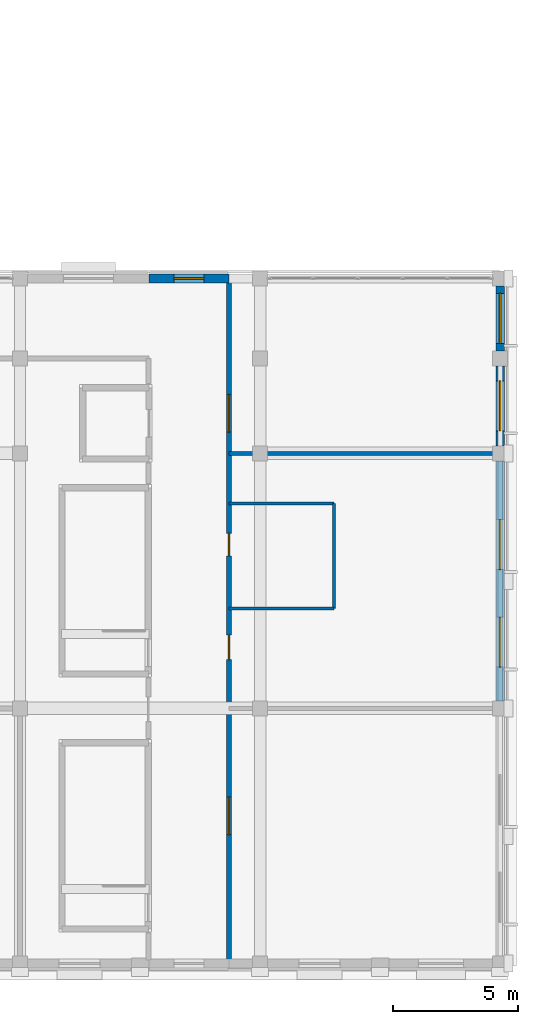
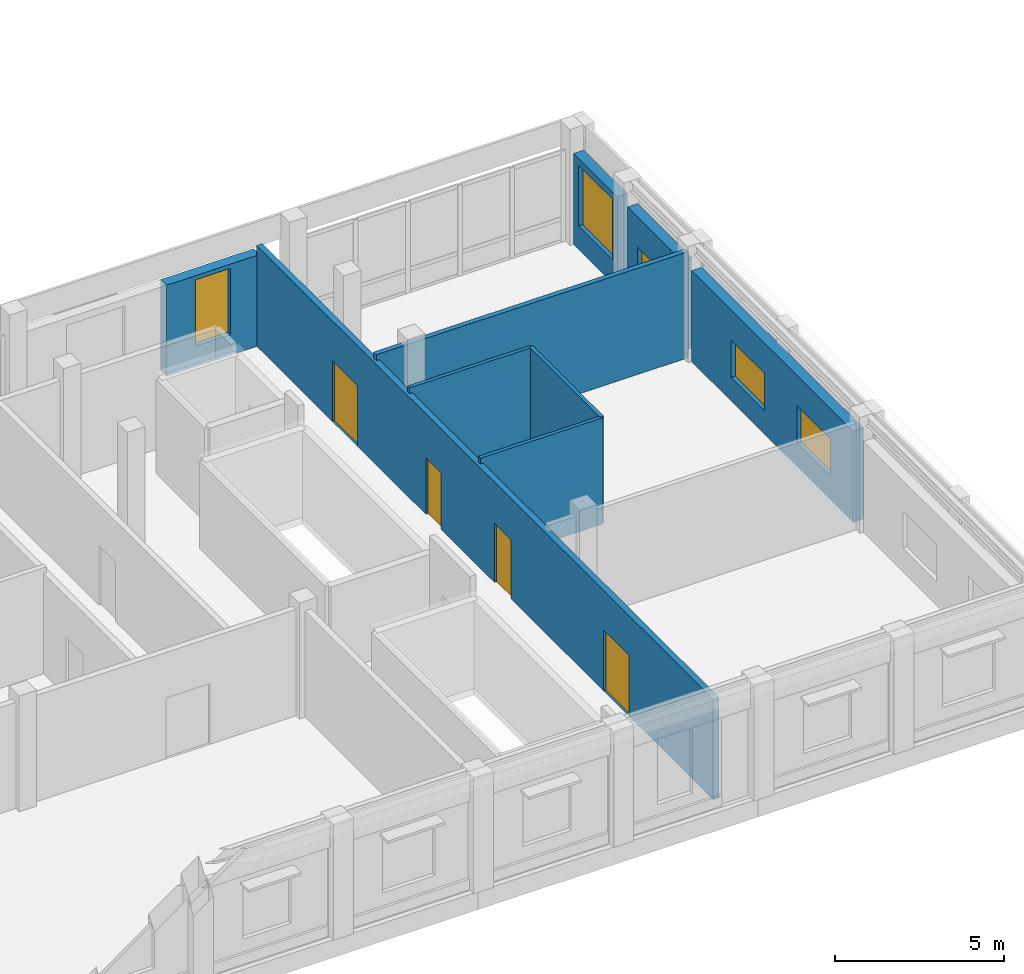
# One storey, part 84 of 93: 9 walls, 5 windows, 4 doors, 9 openings.
"""IFC4 building model written with IfcOpenShell, lengths in metres."""

from ifc_helpers import new_model, si_unit, direction, frame, frame_2d, origin, place, context, subcontext, project, spatial, rectangle, extrude, material, layer, layer_set, type_object, element, fill, save


model = new_model("IFC4")

# Units and contexts
model_context = context("Model", 3, precision=1e-05, world=origin(), true_north=direction((0.0, 1.0)))
body_context = subcontext(model_context, "Body", "Model", "MODEL_VIEW")
ifc_project = project(units=[si_unit("LENGTHUNIT", "METRE"), si_unit("AREAUNIT", "SQUARE_METRE"), si_unit("VOLUMEUNIT", "CUBIC_METRE"), si_unit("PLANEANGLEUNIT", "RADIAN"), si_unit("MASSUNIT", "GRAM", prefix="KILO")], contexts=[model_context])

# Site, building, storey
site_placement = place(None, origin())
site = spatial("IfcSite", under=ifc_project, at=site_placement, CompositionType="ELEMENT")
building_placement = place(site_placement, origin())
building = spatial("IfcBuilding", under=site, at=building_placement, Name="Vondelvale Polytechnic", CompositionType="ELEMENT")
storey_placement = place(building_placement, frame((0.0, 0.0, 18.0)))
storey = spatial("IfcBuildingStorey", under=building, at=storey_placement, Name="L04", CompositionType="ELEMENT", Elevation=18.0)

# Wall, openings, windows
ifc_material_1 = material(Name="Amsterdam School iron-spot clinker clay brickwork", Category="masonry")
ifc_layer_1 = layer(ifc_material_1, 0.35009765625)
ifc_layer_set_1 = layer_set([ifc_layer_1], Name="WL-BRICK-350")
wall_type_1 = type_object("IfcWallType", Name="WL-BRICK-350", PredefinedType="SOLIDWALL", material=ifc_layer_set_1)
wall_1_placement = place(storey_placement, frame((172.800048828125, 20.09912109375, 0.0), z_axis=(0.0, 0.0, 1.0), x_axis=(0.0, -1.0, 0.0)))
wall_1 = element("IfcWall", 1, at=wall_1_placement, inside=storey, type_object=wall_type_1, Name="L04 exterior masonry facade wall", PredefinedType="SOLIDWALL", context=body_context, shape_type="SweptSolid", body=[
    extrude(rectangle(XDim=9.59814453125, YDim=0.35009765625, at=frame_2d((4.799072265625, 0.0))), origin(), (0.0, 0.0, 1.0), 3.300048828125),
])
opening_1_placement = place(wall_1_placement, frame((6.248046875, 0.0, 0.85009765625)))
opening_1 = element("IfcOpeningElement", 2, at=opening_1_placement, cuts=wall_1, Name="Opening WN-0432", PredefinedType="OPENING", context=body_context, shape_type="SweptSolid", body=[
    extrude(rectangle(XDim=2.0, YDim=1.35009765625, at=frame_2d((1.0, 0.675048828125))), frame((0.0, 0.18505859375, 0.0), z_axis=(0.0, -1.0, 0.0), x_axis=(1.0, 0.0, 0.0)), (0.0, 0.0, 1.0), 0.3701171875),
])
opening_2_placement = place(wall_1_placement, frame((2.347900390625, 0.0, 0.85009765625)))
opening_2 = element("IfcOpeningElement", 3, at=opening_2_placement, cuts=wall_1, Name="Opening WN-0433", PredefinedType="OPENING", context=body_context, shape_type="SweptSolid", body=[
    extrude(rectangle(XDim=2.0, YDim=1.35009765625, at=frame_2d((1.0, 0.675048828125))), frame((0.0, 0.18505859375, 0.0), z_axis=(0.0, -1.0, 0.0), x_axis=(1.0, 0.0, 0.0)), (0.0, 0.0, 1.0), 0.3701171875),
])
ifc_material_2 = material(Name="Double-glazed low-E insulated architectural glass", Category="glass")
window_type_1 = type_object("IfcWindowType", Name="WN-RIB-2000x1350", PartitioningType="SINGLE_PANEL", PredefinedType="WINDOW", material=ifc_material_2)
window_1_placement = place(opening_1_placement, origin())
window_1 = element("IfcWindow", 4, at=window_1_placement, inside=storey, type_object=window_type_1, Name="L04 double-glazed architectural window WN-0432", OverallHeight=1.35009765625, OverallWidth=2.0, PartitioningType="SINGLE_PANEL", PredefinedType="WINDOW", context=body_context, shape_type="SweptSolid", body=[
    extrude(rectangle(XDim=2.0, YDim=1.35009765625, at=frame_2d((1.0, 0.675048828125))), frame((0.0, 0.030029296875, 0.0), z_axis=(0.0, -1.0, 0.0), x_axis=(1.0, 0.0, 0.0)), (0.0, 0.0, 1.0), 0.06005859375),
])
fill(opening_1, window_1)
window_2_placement = place(opening_2_placement, origin())
window_2 = element("IfcWindow", 5, at=window_2_placement, inside=storey, type_object=window_type_1, Name="L04 double-glazed architectural window WN-0433", OverallHeight=1.35009765625, OverallWidth=2.0, PartitioningType="SINGLE_PANEL", PredefinedType="WINDOW", context=body_context, shape_type="SweptSolid", body=[
    extrude(rectangle(XDim=2.0, YDim=1.35009765625, at=frame_2d((1.0, 0.675048828125))), frame((0.0, 0.030029296875, 0.0), z_axis=(0.0, -1.0, 0.0), x_axis=(1.0, 0.0, 0.0)), (0.0, 0.0, 1.0), 0.06005859375),
])
fill(opening_2, window_2)

# Wall, opening, window
wall_2_placement = place(storey_placement, frame((172.800048828125, 27.09912109375, 0.0), z_axis=(0.0, 0.0, 1.0), x_axis=(0.0, -1.0, 0.0)))
wall_2 = element("IfcWall", 6, at=wall_2_placement, inside=storey, type_object=wall_type_1, Name="L04 exterior masonry facade wall", PredefinedType="SOLIDWALL", context=body_context, shape_type="SweptSolid", body=[
    extrude(rectangle(XDim=2.59814453125, YDim=0.35009765625, at=frame_2d((1.299072265625, 0.0))), origin(), (0.0, 0.0, 1.0), 3.300048828125),
])
opening_3_placement = place(wall_2_placement, frame((0.299072265625, 0.0, 0.85009765625)))
opening_3 = element("IfcOpeningElement", 7, at=opening_3_placement, cuts=wall_2, Name="Opening WN-0434", PredefinedType="OPENING", context=body_context, shape_type="SweptSolid", body=[
    extrude(rectangle(XDim=2.0, YDim=2.199951171875, at=frame_2d((1.0, 1.10009765625))), frame((0.0, 0.18505859375, 0.0), z_axis=(0.0, -1.0, 0.0), x_axis=(1.0, 0.0, 0.0)), (0.0, 0.0, 1.0), 0.3701171875),
])
window_type_2 = type_object("IfcWindowType", Name="WN-STUDIO-2000x2200", PartitioningType="SINGLE_PANEL", PredefinedType="WINDOW", material=ifc_material_2)
window_3_placement = place(opening_3_placement, origin())
window_3 = element("IfcWindow", 8, at=window_3_placement, inside=storey, type_object=window_type_2, Name="L04 double-glazed architectural window WN-0434", OverallHeight=2.199951171875, OverallWidth=2.0, PartitioningType="SINGLE_PANEL", PredefinedType="WINDOW", context=body_context, shape_type="SweptSolid", body=[
    extrude(rectangle(XDim=2.0, YDim=2.199951171875, at=frame_2d((1.0, 1.10009765625))), frame((0.0, 0.030029296875, 0.0), z_axis=(0.0, -1.0, 0.0), x_axis=(1.0, 0.0, 0.0)), (0.0, 0.0, 1.0), 0.06005859375),
])
fill(opening_3, window_3)

wall_3_placement = place(storey_placement, frame((172.800048828125, 23.89892578125, 0.0), z_axis=(0.0, 0.0, 1.0), x_axis=(0.0, -1.0, 0.0)))
wall_3 = element("IfcWall", 9, at=wall_3_placement, inside=storey, type_object=wall_type_1, Name="L04 exterior masonry facade wall", PredefinedType="SOLIDWALL", context=body_context, shape_type="SweptSolid", body=[
    extrude(rectangle(XDim=3.197998046875, YDim=0.35009765625, at=frame_2d((1.59912109375, 0.0))), origin(), (0.0, 0.0, 1.0), 3.300048828125),
])
opening_4_placement = place(wall_3_placement, frame((0.59912109375, 0.0, 0.85009765625)))
opening_4 = element("IfcOpeningElement", 10, at=opening_4_placement, cuts=wall_3, Name="Opening WN-0435", PredefinedType="OPENING", context=body_context, shape_type="SweptSolid", body=[
    extrude(rectangle(XDim=2.0, YDim=1.35009765625, at=frame_2d((1.0, 0.675048828125))), frame((0.0, 0.18505859375, 0.0), z_axis=(0.0, -1.0, 0.0), x_axis=(1.0, 0.0, 0.0)), (0.0, 0.0, 1.0), 0.3701171875),
])
window_4_placement = place(opening_4_placement, origin())
window_4 = element("IfcWindow", 11, at=window_4_placement, inside=storey, type_object=window_type_1, Name="L04 double-glazed architectural window WN-0435", OverallHeight=1.35009765625, OverallWidth=2.0, PartitioningType="SINGLE_PANEL", PredefinedType="WINDOW", context=body_context, shape_type="SweptSolid", body=[
    extrude(rectangle(XDim=2.0, YDim=1.35009765625, at=frame_2d((1.0, 0.675048828125))), frame((0.0, 0.030029296875, 0.0), z_axis=(0.0, -1.0, 0.0), x_axis=(1.0, 0.0, 0.0)), (0.0, 0.0, 1.0), 0.06005859375),
])
fill(opening_4, window_4)

wall_4_placement = place(storey_placement, frame((158.75, 27.39990234375, 0.0), z_axis=(0.0, 0.0, 1.0), x_axis=(1.0, 0.0, 0.0)))
wall_4 = element("IfcWall", 12, at=wall_4_placement, inside=storey, type_object=wall_type_1, Name="L04 exterior masonry facade wall", PredefinedType="SOLIDWALL", context=body_context, shape_type="SweptSolid", body=[
    extrude(rectangle(XDim=3.199951171875, YDim=0.35009765625, at=frame_2d((1.60009765625, 0.0))), origin(), (0.0, 0.0, 1.0), 3.300048828125),
])
opening_5_placement = place(wall_4_placement, frame((1.0, 0.0, 0.75)))
opening_5 = element("IfcOpeningElement", 13, at=opening_5_placement, cuts=wall_4, Name="Opening WN-0437", PredefinedType="OPENING", context=body_context, shape_type="SweptSolid", body=[
    extrude(rectangle(XDim=1.199951171875, YDim=2.39990234375, at=frame_2d((0.60009765625, 1.199951171875))), frame((0.0, 0.18505859375, 0.0), z_axis=(0.0, -1.0, 0.0), x_axis=(1.0, 0.0, 0.0)), (0.0, 0.0, 1.0), 0.3701171875),
])
window_type_3 = type_object("IfcWindowType", Name="WN-ARCH-1200x2400", PartitioningType="SINGLE_PANEL", PredefinedType="WINDOW", material=ifc_material_2)
window_5_placement = place(opening_5_placement, origin())
window_5 = element("IfcWindow", 14, at=window_5_placement, inside=storey, type_object=window_type_3, Name="L04 double-glazed architectural window WN-0437", OverallHeight=2.39990234375, OverallWidth=1.199951171875, PartitioningType="SINGLE_PANEL", PredefinedType="WINDOW", context=body_context, shape_type="SweptSolid", body=[
    extrude(rectangle(XDim=1.199951171875, YDim=2.39990234375, at=frame_2d((0.60009765625, 1.199951171875))), frame((0.0, 0.030029296875, 0.0), z_axis=(0.0, -1.0, 0.0), x_axis=(1.0, 0.0, 0.0)), (0.0, 0.0, 1.0), 0.06005859375),
])
fill(opening_5, window_5)

# Wall, openings, doors
ifc_material_3 = material(Name="Fire-rated double-layer plasterboard stud partition")
ifc_layer_2 = layer(ifc_material_3, 0.199951171875)
ifc_layer_set_2 = layer_set([ifc_layer_2], Name="WL-CORR-200")
wall_type_2 = type_object("IfcWallType", Name="WL-CORR-200", PredefinedType="PARTITIONING", material=ifc_layer_set_2)
wall_5_placement = place(storey_placement, frame((161.949951171875, 0.14990234375, 0.0), z_axis=(0.0, 0.0, 1.0), x_axis=(0.0, 1.0, 0.0)))
wall_5 = element("IfcWall", 15, at=wall_5_placement, inside=storey, type_object=wall_type_2, Name="L04 interior acoustic partition", PredefinedType="PARTITIONING", context=body_context, shape_type="SweptSolid", body=[
    extrude(rectangle(XDim=27.10009765625, YDim=0.199951171875, at=frame_2d((13.550048828125, 0.0))), origin(), (0.0, 0.0, 1.0), 3.64111328125),
])
opening_6_placement = place(wall_5_placement, frame((5.0, 0.0, 0.0)))
opening_6 = element("IfcOpeningElement", 16, at=opening_6_placement, cuts=wall_5, Name="Opening ID-0268", PredefinedType="OPENING", context=body_context, shape_type="SweptSolid", body=[
    extrude(rectangle(XDim=1.5, YDim=2.199951171875, at=frame_2d((0.75, 1.10009765625))), frame((0.0, 0.10986328125, 0.0), z_axis=(0.0, -1.0, 0.0), x_axis=(1.0, 0.0, 0.0)), (0.0, 0.0, 1.0), 0.219970703125),
])
opening_7_placement = place(wall_5_placement, frame((12.0, 0.0, 0.0)))
opening_7 = element("IfcOpeningElement", 17, at=opening_7_placement, cuts=wall_5, Name="Opening ID-0269", PredefinedType="OPENING", context=body_context, shape_type="SweptSolid", body=[
    extrude(rectangle(XDim=0.97998046875, YDim=2.14990234375, at=frame_2d((0.489990234375, 1.074951171875))), frame((0.0, 0.10986328125, 0.0), z_axis=(0.0, -1.0, 0.0), x_axis=(1.0, 0.0, 0.0)), (0.0, 0.0, 1.0), 0.219970703125),
])
opening_8_placement = place(wall_5_placement, frame((16.14990234375, 0.0, 0.0)))
opening_8 = element("IfcOpeningElement", 18, at=opening_8_placement, cuts=wall_5, Name="Opening ID-0270", PredefinedType="OPENING", context=body_context, shape_type="SweptSolid", body=[
    extrude(rectangle(XDim=0.89990234375, YDim=2.050048828125, at=frame_2d((0.449951171875, 1.02490234375))), frame((0.0, 0.10986328125, 0.0), z_axis=(0.0, -1.0, 0.0), x_axis=(1.0, 0.0, 0.0)), (0.0, 0.0, 1.0), 0.219970703125),
])
opening_9_placement = place(wall_5_placement, frame((21.10009765625, 0.0, 0.0)))
opening_9 = element("IfcOpeningElement", 19, at=opening_9_placement, cuts=wall_5, Name="Opening ID-0271", PredefinedType="OPENING", context=body_context, shape_type="SweptSolid", body=[
    extrude(rectangle(XDim=1.5, YDim=2.199951171875, at=frame_2d((0.75, 1.10009765625))), frame((0.0, 0.10986328125, 0.0), z_axis=(0.0, -1.0, 0.0), x_axis=(1.0, 0.0, 0.0)), (0.0, 0.0, 1.0), 0.219970703125),
])
ifc_material_4 = material(Name="Fire-rated solid Tasmanian oak joinery")
door_type_1 = type_object("IfcDoorType", Name="DR-INT-0980x2150", OperationType="SINGLE_SWING_RIGHT", PredefinedType="DOOR", material=ifc_material_4)
door_1_placement = place(opening_7_placement, origin())
door_1 = element("IfcDoor", 20, at=door_1_placement, inside=storey, type_object=door_type_1, Name="L04 interior room door ID-0269", OperationType="SINGLE_SWING_LEFT", OverallHeight=2.14990234375, OverallWidth=0.97998046875, PredefinedType="DOOR", context=body_context, shape_type="SweptSolid", body=[
    extrude(rectangle(XDim=0.97998046875, YDim=2.14990234375, at=frame_2d((0.489990234375, 1.074951171875))), frame((0.0, 0.02490234375, 0.0), z_axis=(0.0, -1.0, 0.0), x_axis=(1.0, 0.0, 0.0)), (0.0, 0.0, 1.0), 0.050048828125),
])
fill(opening_7, door_1)
door_type_2 = type_object("IfcDoorType", Name="DR-LAB-1500x2200", OperationType="DOUBLE_DOOR_SINGLE_SWING", PredefinedType="DOOR", material=ifc_material_4)
door_2_placement = place(opening_6_placement, origin())
door_2 = element("IfcDoor", 21, at=door_2_placement, inside=storey, type_object=door_type_2, Name="L04 interior room door ID-0268", OperationType="DOUBLE_DOOR_SINGLE_SWING", OverallHeight=2.199951171875, OverallWidth=1.5, PredefinedType="DOOR", context=body_context, shape_type="SweptSolid", body=[
    extrude(rectangle(XDim=1.5, YDim=2.199951171875, at=frame_2d((0.75, 1.10009765625))), frame((0.0, 0.02490234375, 0.0), z_axis=(0.0, -1.0, 0.0), x_axis=(1.0, 0.0, 0.0)), (0.0, 0.0, 1.0), 0.050048828125),
])
fill(opening_6, door_2)
door_3_placement = place(opening_9_placement, origin())
door_3 = element("IfcDoor", 22, at=door_3_placement, inside=storey, type_object=door_type_2, Name="L04 interior room door ID-0271", OperationType="DOUBLE_DOOR_SINGLE_SWING", OverallHeight=2.199951171875, OverallWidth=1.5, PredefinedType="DOOR", context=body_context, shape_type="SweptSolid", body=[
    extrude(rectangle(XDim=1.5, YDim=2.199951171875, at=frame_2d((0.75, 1.10009765625))), frame((0.0, 0.02490234375, 0.0), z_axis=(0.0, -1.0, 0.0), x_axis=(1.0, 0.0, 0.0)), (0.0, 0.0, 1.0), 0.050048828125),
])
fill(opening_9, door_3)
door_type_3 = type_object("IfcDoorType", Name="DR-WC-0900x2050", OperationType="SINGLE_SWING_RIGHT", PredefinedType="DOOR", material=ifc_material_4)
door_4_placement = place(opening_8_placement, origin())
door_4 = element("IfcDoor", 23, at=door_4_placement, inside=storey, type_object=door_type_3, Name="L04 interior room door ID-0270", OperationType="SINGLE_SWING_RIGHT", OverallHeight=2.050048828125, OverallWidth=0.89990234375, PredefinedType="DOOR", context=body_context, shape_type="SweptSolid", body=[
    extrude(rectangle(XDim=0.89990234375, YDim=2.050048828125, at=frame_2d((0.449951171875, 1.02490234375))), frame((0.0, 0.02490234375, 0.0), z_axis=(0.0, -1.0, 0.0), x_axis=(1.0, 0.0, 0.0)), (0.0, 0.0, 1.0), 0.050048828125),
])
fill(opening_8, door_4)

# Walls
ifc_layer_3 = layer(ifc_material_3, 0.1201171875)
ifc_layer_set_3 = layer_set([ifc_layer_3], Name="WL-INT-120")
wall_type_3 = type_object("IfcWallType", Name="WL-INT-120", PredefinedType="PARTITIONING", material=ifc_layer_set_3)
for number, where, z_axis, x_axis, name in (
    (24, (161.949951171875, 14.199951171875, 0.0), (0.0, 0.0, 1.0), (1.0, 0.0, 0.0), "L04 interior acoustic partition"),
    (25, (166.14990234375, 14.199951171875, 0.0), (0.0, 0.0, 1.0), (0.0, 1.0, 0.0), "L04 interior acoustic partition"),
    (26, (161.949951171875, 18.39990234375, 0.0), (0.0, 0.0, 1.0), (1.0, 0.0, 0.0), "L04 interior acoustic partition"),
):
    element("IfcWall", number, at=place(storey_placement, frame(where, z_axis=z_axis, x_axis=x_axis)), inside=storey, type_object=wall_type_3, Name=name, PredefinedType="PARTITIONING", context=body_context, shape_type="SweptSolid", body=[
        extrude(rectangle(XDim=4.199951171875, YDim=0.1201171875, at=frame_2d((2.10009765625, 0.0))), origin(), (0.0, 0.0, 1.0), 3.85009765625),
    ])
ifc_layer_4 = layer(ifc_material_3, 0.1650390625)
ifc_layer_set_4 = layer_set([ifc_layer_4], Name="WL-INT-165")
wall_type_4 = type_object("IfcWallType", Name="WL-INT-165", PredefinedType="PARTITIONING", material=ifc_layer_set_4)
wall_6_placement = place(storey_placement, frame((161.949951171875, 20.39990234375, 0.0), z_axis=(0.0, 0.0, 1.0), x_axis=(1.0, 0.0, 0.0)))
element("IfcWall", 27, at=wall_6_placement, inside=storey, type_object=wall_type_4, Name="L04 interior acoustic partition", PredefinedType="PARTITIONING", context=body_context, shape_type="SweptSolid", body=[
    extrude(rectangle(XDim=10.699951171875, YDim=0.1650390625, at=frame_2d((5.35009765625, 0.0))), origin(), (0.0, 0.0, 1.0), 3.85009765625),
])

save(model, "model.ifc")
